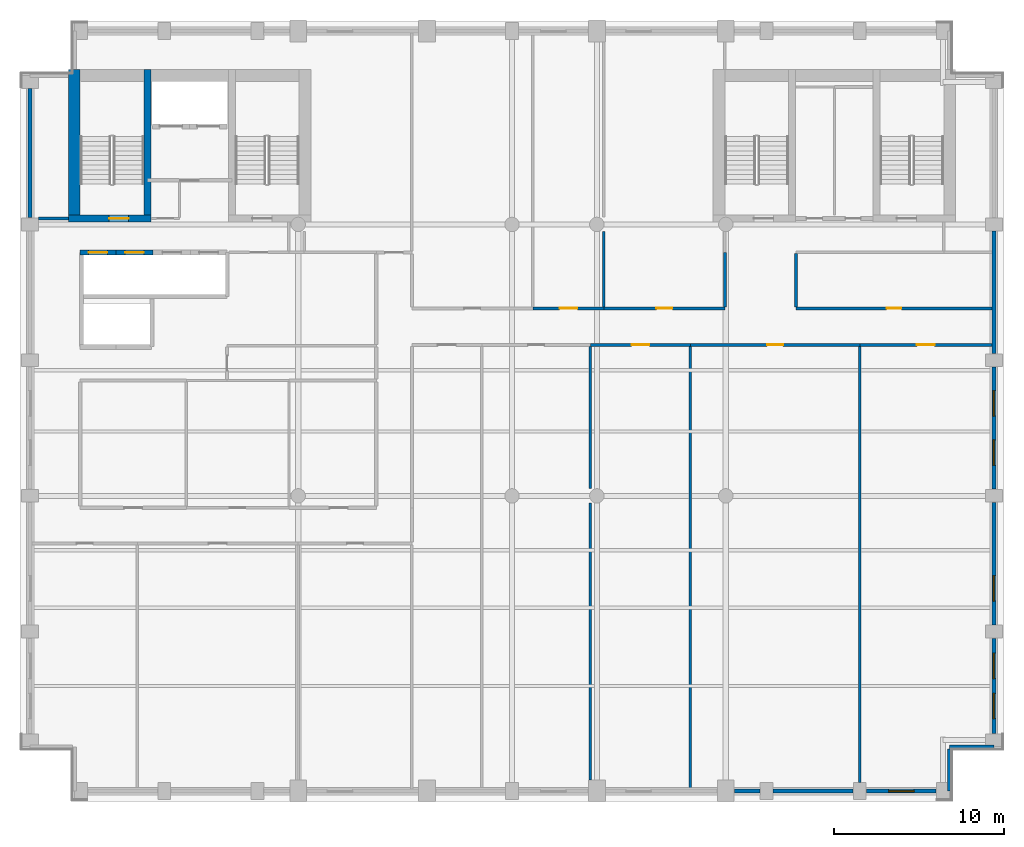
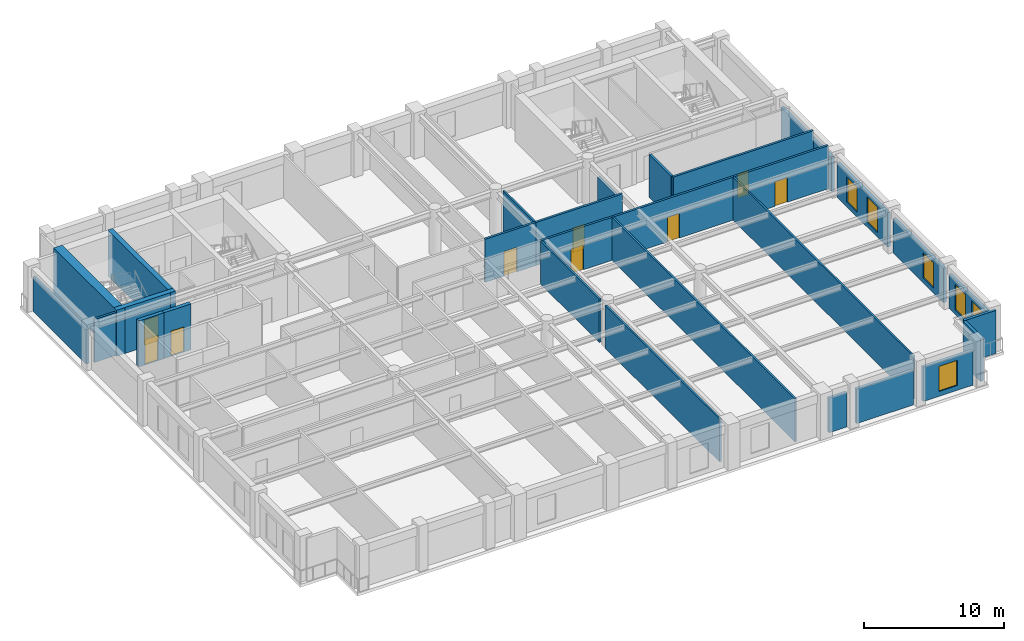
# One storey, part 4 of 9: 29 walls, 9 doors, 6 windows, 15 openings.
"""IFC4 building model written with IfcOpenShell, lengths in metres."""

from ifc_helpers import new_model, si_unit, direction, frame, frame_2d, origin, place, context, subcontext, project, spatial, rectangle, extrude, material, layer, layer_set, type_object, element, fill, save


model = new_model("IFC4")

# Units and contexts
model_context = context("Model", 3, precision=1e-05, world=origin(), true_north=direction((0.0, 1.0)))
body_context = subcontext(model_context, "Body", "Model", "MODEL_VIEW")
ifc_project = project(units=[si_unit("LENGTHUNIT", "METRE"), si_unit("AREAUNIT", "SQUARE_METRE"), si_unit("VOLUMEUNIT", "CUBIC_METRE"), si_unit("PLANEANGLEUNIT", "RADIAN"), si_unit("MASSUNIT", "GRAM", prefix="KILO")], contexts=[model_context])

# Site, building, storey
site_placement = place(None, origin())
site = spatial("IfcSite", under=ifc_project, at=site_placement, CompositionType="ELEMENT")
building_placement = place(site_placement, origin())
building = spatial("IfcBuilding", under=site, at=building_placement, Name="Sulina Concourse Tower", CompositionType="ELEMENT")
storey_placement = place(building_placement, frame((0.0, 0.0, 268.60009765625)))
storey = spatial("IfcBuildingStorey", under=building, at=storey_placement, Name="L65", CompositionType="ELEMENT", Elevation=268.60009765625)

# Wall, opening, door
ifc_material_1 = material(Name="Concrete C50/60", Category="concrete")
ifc_layer_1 = layer(ifc_material_1, 0.300048828125)
ifc_layer_set_1 = layer_set([ifc_layer_1], Name="Concrete C50/60")
wall_type_1 = type_object("IfcWallType", Name="Core Lift Hoistway Wall 300mm", PredefinedType="SOLIDWALL", material=ifc_layer_set_1)
wall_1_placement = place(storey_placement, frame((3.550048828125, 32.35009765625, 0.0), z_axis=(0.0, 0.0, 1.0), x_axis=(1.0, 0.0, 0.0)))
wall_1 = element("IfcWall", 1, at=wall_1_placement, inside=storey, type_object=wall_type_1, Name="L65 hoistway enclosure wall LP-09", PredefinedType="SOLIDWALL", context=body_context, shape_type="SweptSolid", body=[
    extrude(rectangle(XDim=2.099853515625, YDim=0.300048828125, at=frame_2d((1.0498046875, 0.0))), origin(), (0.0, 0.0, 1.0), 4.0),
])
opening_1_placement = place(wall_1_placement, frame((0.5, 0.0, 0.0)))
opening_1 = element("IfcOpeningElement", 2, at=opening_1_placement, cuts=wall_1, Name="Opening LD-01", PredefinedType="OPENING", context=body_context, shape_type="SweptSolid", body=[
    extrude(rectangle(XDim=1.10009765625, YDim=2.199951171875, at=frame_2d((0.550048828125, 1.10009765625))), frame((0.0, 0.159912109375, 0.0), z_axis=(0.0, -1.0, 0.0), x_axis=(1.0, 0.0, 0.0)), (0.0, 0.0, 1.0), 0.320068359375),
])
ifc_material_2 = material(Name="Stainless steel lift landing door", Category="steel")
ifc_layer_2 = layer(ifc_material_2, 0.050048828125)
ifc_layer_set_2 = layer_set([ifc_layer_2], Name="Stainless steel lift landing door")
door_type_1 = type_object("IfcDoorType", Name="Passenger Lift Sliding Landing Door 1100x2200", OperationType="SLIDING_TO_LEFT", PredefinedType="DOOR", material=ifc_layer_set_2)
door_1_placement = place(opening_1_placement, origin())
door_1 = element("IfcDoor", 3, at=door_1_placement, inside=storey, type_object=door_type_1, Name="L65 lift landing sliding door LP-09", OperationType="SLIDING_TO_LEFT", OverallHeight=2.199951171875, OverallWidth=1.10009765625, PredefinedType="DOOR", context=body_context, shape_type="SweptSolid", body=[
    extrude(rectangle(XDim=1.10009765625, YDim=2.199951171875, at=frame_2d((0.550048828125, 1.10009765625))), frame((0.0, 0.02490234375, 0.0), z_axis=(0.0, -1.0, 0.0), x_axis=(1.0, 0.0, 0.0)), (0.0, 0.0, 1.0), 0.050048828125),
])
fill(opening_1, door_1)

wall_2_placement = place(storey_placement, frame((5.64990234375, 32.35009765625, 0.0), z_axis=(0.0, 0.0, 1.0), x_axis=(1.0, 0.0, 0.0)))
wall_2 = element("IfcWall", 4, at=wall_2_placement, inside=storey, type_object=wall_type_1, Name="L65 hoistway enclosure wall LP-10", PredefinedType="SOLIDWALL", context=body_context, shape_type="SweptSolid", body=[
    extrude(rectangle(XDim=2.2001953125, YDim=0.300048828125, at=frame_2d((1.10009765625, 0.0))), origin(), (0.0, 0.0, 1.0), 4.0),
])
opening_2_placement = place(wall_2_placement, frame((0.550048828125, 0.0, 0.0)))
opening_2 = element("IfcOpeningElement", 5, at=opening_2_placement, cuts=wall_2, Name="Opening LD-01", PredefinedType="OPENING", context=body_context, shape_type="SweptSolid", body=[
    extrude(rectangle(XDim=1.10009765625, YDim=2.199951171875, at=frame_2d((0.550048828125, 1.10009765625))), frame((0.0, 0.159912109375, 0.0), z_axis=(0.0, -1.0, 0.0), x_axis=(1.0, 0.0, 0.0)), (0.0, 0.0, 1.0), 0.320068359375),
])
door_2_placement = place(opening_2_placement, origin())
door_2 = element("IfcDoor", 6, at=door_2_placement, inside=storey, type_object=door_type_1, Name="L65 lift landing sliding door LP-10", OperationType="SLIDING_TO_RIGHT", OverallHeight=2.199951171875, OverallWidth=1.10009765625, PredefinedType="DOOR", context=body_context, shape_type="SweptSolid", body=[
    extrude(rectangle(XDim=1.10009765625, YDim=2.199951171875, at=frame_2d((0.550048828125, 1.10009765625))), frame((0.0, 0.02490234375, 0.0), z_axis=(0.0, -1.0, 0.0), x_axis=(1.0, 0.0, 0.0)), (0.0, 0.0, 1.0), 0.050048828125),
])
fill(opening_2, door_2)

# Walls
ifc_material_3 = material(Name="Precast concrete C50/60", Category="concrete")
ifc_layer_3 = layer(ifc_material_3, 0.239990234375)
ifc_layer_set_3 = layer_set([ifc_layer_3], Name="Precast concrete C50/60")
wall_type_2 = type_object("IfcWallType", Name="Crown Precast Masonry-Frame Facade Wall 240mm", PredefinedType="SOLIDWALL", material=ifc_layer_set_3)
wall_3_placement = place(storey_placement, frame((43.60498046875, 0.60009765625, 0.0), z_axis=(0.0, 0.0, 1.0), x_axis=(-1.0, 0.0, 0.0)))
element("IfcWall", 7, at=wall_3_placement, inside=storey, type_object=wall_type_2, Name="L65 exterior precast wall S8", PredefinedType="SOLIDWALL", context=body_context, shape_type="SweptSolid", body=[
    extrude(rectangle(XDim=1.48486328125, YDim=0.239990234375, at=frame_2d((0.742431640625, 0.0))), origin(), (0.0, 0.0, 1.0), 3.0),
])
wall_4_placement = place(storey_placement, frame((49.10498046875, 0.60009765625, 0.0), z_axis=(0.0, 0.0, 1.0), x_axis=(-1.0, 0.0, 0.0)))
element("IfcWall", 8, at=wall_4_placement, inside=storey, type_object=wall_type_2, Name="L65 exterior precast wall S9", PredefinedType="SOLIDWALL", context=body_context, shape_type="SweptSolid", body=[
    extrude(rectangle(XDim=4.7099609375, YDim=0.239990234375, at=frame_2d((2.35498046875, 0.0))), origin(), (0.0, 0.0, 1.0), 3.0),
])

# Wall, opening, window
wall_5_placement = place(storey_placement, frame((54.0048828125, 0.60009765625, 0.0), z_axis=(0.0, 0.0, 1.0), x_axis=(-1.0, 0.0, 0.0)))
wall_5 = element("IfcWall", 9, at=wall_5_placement, inside=storey, type_object=wall_type_2, Name="L65 exterior precast wall S10", PredefinedType="SOLIDWALL", context=body_context, shape_type="SweptSolid", body=[
    extrude(rectangle(XDim=4.10986328125, YDim=0.239990234375, at=frame_2d((2.054931640625, 0.0))), origin(), (0.0, 0.0, 1.0), 3.0),
])
opening_3_placement = place(wall_5_placement, frame((1.304931640625, 0.0, 0.419921875)))
opening_3 = element("IfcOpeningElement", 10, at=opening_3_placement, cuts=wall_5, Name="Opening WN-71", PredefinedType="OPENING", context=body_context, shape_type="SweptSolid", body=[
    extrude(rectangle(XDim=1.5, YDim=2.199951171875, at=frame_2d((0.75, 1.10009765625))), frame((0.0, 0.1298828125, 0.0), z_axis=(0.0, -1.0, 0.0), x_axis=(1.0, 0.0, 0.0)), (0.0, 0.0, 1.0), 0.260009765625),
])
ifc_material_4 = material(Name="Low-E solar double glazing in bronze aluminium", Category="aluminium")
window_type = type_object("IfcWindowType", Name="Punched Masonry-Frame Window 1500x2200", PartitioningType="SINGLE_PANEL", PredefinedType="WINDOW", material=ifc_material_4)
window_1_placement = place(opening_3_placement, origin())
window_1 = element("IfcWindow", 11, at=window_1_placement, inside=storey, type_object=window_type, Name="L65 punched window S10-1", OverallHeight=2.199951171875, OverallWidth=1.5, PartitioningType="SINGLE_PANEL", PredefinedType="WINDOW", context=body_context, shape_type="SweptSolid", body=[
    extrude(rectangle(XDim=1.5, YDim=2.199951171875, at=frame_2d((0.75, 1.10009765625))), frame((0.0, 0.030029296875, 0.0), z_axis=(0.0, -1.0, 0.0), x_axis=(1.0, 0.0, 0.0)), (0.0, 0.0, 1.0), 0.06005859375),
])
fill(opening_3, window_1)

# Wall
wall_6_placement = place(storey_placement, frame((0.60009765625, 34.39501953125, 0.0), z_axis=(0.0, 0.0, 1.0), x_axis=(0.0, 1.0, 0.0)))
element("IfcWall", 12, at=wall_6_placement, inside=storey, type_object=wall_type_2, Name="L65 exterior precast wall W5", PredefinedType="SOLIDWALL", context=body_context, shape_type="SweptSolid", body=[
    extrude(rectangle(XDim=7.60986328125, YDim=0.239990234375, at=frame_2d((3.804931640625, 0.0))), origin(), (0.0, 0.0, 1.0), 3.0),
])

# Wall, openings, windows
wall_7_placement = place(storey_placement, frame((57.39990234375, 9.60498046875, 0.0), z_axis=(0.0, 0.0, 1.0), x_axis=(0.0, -1.0, 0.0)))
wall_7 = element("IfcWall", 13, at=wall_7_placement, inside=storey, type_object=wall_type_2, Name="L65 exterior precast wall E1", PredefinedType="SOLIDWALL", context=body_context, shape_type="SweptSolid", body=[
    extrude(rectangle(XDim=5.60986328125, YDim=0.239990234375, at=frame_2d((2.804931640625, 0.0))), origin(), (0.0, 0.0, 1.0), 3.0),
])
opening_4_placement = place(wall_7_placement, frame((0.8701171875, 0.0, 0.419921875)))
opening_4 = element("IfcOpeningElement", 14, at=opening_4_placement, cuts=wall_7, Name="Opening WN-71", PredefinedType="OPENING", context=body_context, shape_type="SweptSolid", body=[
    extrude(rectangle(XDim=1.5, YDim=2.199951171875, at=frame_2d((0.75, 1.10009765625))), frame((0.0, 0.1298828125, 0.0), z_axis=(0.0, -1.0, 0.0), x_axis=(1.0, 0.0, 0.0)), (0.0, 0.0, 1.0), 0.260009765625),
])
opening_5_placement = place(wall_7_placement, frame((3.239990234375, 0.0, 0.419921875)))
opening_5 = element("IfcOpeningElement", 15, at=opening_5_placement, cuts=wall_7, Name="Opening WN-71", PredefinedType="OPENING", context=body_context, shape_type="SweptSolid", body=[
    extrude(rectangle(XDim=1.5, YDim=2.199951171875, at=frame_2d((0.75, 1.10009765625))), frame((0.0, 0.1298828125, 0.0), z_axis=(0.0, -1.0, 0.0), x_axis=(1.0, 0.0, 0.0)), (0.0, 0.0, 1.0), 0.260009765625),
])
window_2_placement = place(opening_4_placement, origin())
window_2 = element("IfcWindow", 16, at=window_2_placement, inside=storey, type_object=window_type, Name="L65 punched window E1-1", OverallHeight=2.199951171875, OverallWidth=1.5, PartitioningType="SINGLE_PANEL", PredefinedType="WINDOW", context=body_context, shape_type="SweptSolid", body=[
    extrude(rectangle(XDim=1.5, YDim=2.199951171875, at=frame_2d((0.75, 1.10009765625))), frame((0.0, 0.030029296875, 0.0), z_axis=(0.0, -1.0, 0.0), x_axis=(1.0, 0.0, 0.0)), (0.0, 0.0, 1.0), 0.06005859375),
])
fill(opening_4, window_2)
window_3_placement = place(opening_5_placement, origin())
window_3 = element("IfcWindow", 17, at=window_3_placement, inside=storey, type_object=window_type, Name="L65 punched window E1-2", OverallHeight=2.199951171875, OverallWidth=1.5, PartitioningType="SINGLE_PANEL", PredefinedType="WINDOW", context=body_context, shape_type="SweptSolid", body=[
    extrude(rectangle(XDim=1.5, YDim=2.199951171875, at=frame_2d((0.75, 1.10009765625))), frame((0.0, 0.030029296875, 0.0), z_axis=(0.0, -1.0, 0.0), x_axis=(1.0, 0.0, 0.0)), (0.0, 0.0, 1.0), 0.06005859375),
])
fill(opening_5, window_3)

# Wall, opening, window
wall_8_placement = place(storey_placement, frame((57.39990234375, 17.60498046875, 0.0), z_axis=(0.0, 0.0, 1.0), x_axis=(0.0, -1.0, 0.0)))
wall_8 = element("IfcWall", 18, at=wall_8_placement, inside=storey, type_object=wall_type_2, Name="L65 exterior precast wall E2", PredefinedType="SOLIDWALL", context=body_context, shape_type="SweptSolid", body=[
    extrude(rectangle(XDim=7.2099609375, YDim=0.239990234375, at=frame_2d((3.60498046875, 0.0))), origin(), (0.0, 0.0, 1.0), 3.0),
])
opening_6_placement = place(wall_8_placement, frame((4.306640625, 0.0, 0.419921875)))
opening_6 = element("IfcOpeningElement", 19, at=opening_6_placement, cuts=wall_8, Name="Opening WN-71", PredefinedType="OPENING", context=body_context, shape_type="SweptSolid", body=[
    extrude(rectangle(XDim=1.5, YDim=2.199951171875, at=frame_2d((0.75, 1.10009765625))), frame((0.0, 0.1298828125, 0.0), z_axis=(0.0, -1.0, 0.0), x_axis=(1.0, 0.0, 0.0)), (0.0, 0.0, 1.0), 0.260009765625),
])
window_4_placement = place(opening_6_placement, origin())
window_4 = element("IfcWindow", 20, at=window_4_placement, inside=storey, type_object=window_type, Name="L65 punched window E2-1", OverallHeight=2.199951171875, OverallWidth=1.5, PartitioningType="SINGLE_PANEL", PredefinedType="WINDOW", context=body_context, shape_type="SweptSolid", body=[
    extrude(rectangle(XDim=1.5, YDim=2.199951171875, at=frame_2d((0.75, 1.10009765625))), frame((0.0, 0.030029296875, 0.0), z_axis=(0.0, -1.0, 0.0), x_axis=(1.0, 0.0, 0.0)), (0.0, 0.0, 1.0), 0.06005859375),
])
fill(opening_6, window_4)

# Wall, openings, windows
wall_9_placement = place(storey_placement, frame((57.39990234375, 25.60498046875, 0.0), z_axis=(0.0, 0.0, 1.0), x_axis=(0.0, -1.0, 0.0)))
wall_9 = element("IfcWall", 21, at=wall_9_placement, inside=storey, type_object=wall_type_2, Name="L65 exterior precast wall E3", PredefinedType="SOLIDWALL", context=body_context, shape_type="SweptSolid", body=[
    extrude(rectangle(XDim=7.2099609375, YDim=0.239990234375, at=frame_2d((3.60498046875, 0.0))), origin(), (0.0, 0.0, 1.0), 3.0),
])
opening_7_placement = place(wall_9_placement, frame((1.4033203125, 0.0, 0.419921875)))
opening_7 = element("IfcOpeningElement", 22, at=opening_7_placement, cuts=wall_9, Name="Opening WN-71", PredefinedType="OPENING", context=body_context, shape_type="SweptSolid", body=[
    extrude(rectangle(XDim=1.5, YDim=2.199951171875, at=frame_2d((0.75, 1.10009765625))), frame((0.0, 0.1298828125, 0.0), z_axis=(0.0, -1.0, 0.0), x_axis=(1.0, 0.0, 0.0)), (0.0, 0.0, 1.0), 0.260009765625),
])
opening_8_placement = place(wall_9_placement, frame((4.306640625, 0.0, 0.419921875)))
opening_8 = element("IfcOpeningElement", 23, at=opening_8_placement, cuts=wall_9, Name="Opening WN-71", PredefinedType="OPENING", context=body_context, shape_type="SweptSolid", body=[
    extrude(rectangle(XDim=1.5, YDim=2.199951171875, at=frame_2d((0.75, 1.10009765625))), frame((0.0, 0.1298828125, 0.0), z_axis=(0.0, -1.0, 0.0), x_axis=(1.0, 0.0, 0.0)), (0.0, 0.0, 1.0), 0.260009765625),
])
window_5_placement = place(opening_7_placement, origin())
window_5 = element("IfcWindow", 24, at=window_5_placement, inside=storey, type_object=window_type, Name="L65 punched window E3-1", OverallHeight=2.199951171875, OverallWidth=1.5, PartitioningType="SINGLE_PANEL", PredefinedType="WINDOW", context=body_context, shape_type="SweptSolid", body=[
    extrude(rectangle(XDim=1.5, YDim=2.199951171875, at=frame_2d((0.75, 1.10009765625))), frame((0.0, 0.030029296875, 0.0), z_axis=(0.0, -1.0, 0.0), x_axis=(1.0, 0.0, 0.0)), (0.0, 0.0, 1.0), 0.06005859375),
])
fill(opening_7, window_5)
window_6_placement = place(opening_8_placement, origin())
window_6 = element("IfcWindow", 25, at=window_6_placement, inside=storey, type_object=window_type, Name="L65 punched window E3-2", OverallHeight=2.199951171875, OverallWidth=1.5, PartitioningType="SINGLE_PANEL", PredefinedType="WINDOW", context=body_context, shape_type="SweptSolid", body=[
    extrude(rectangle(XDim=1.5, YDim=2.199951171875, at=frame_2d((0.75, 1.10009765625))), frame((0.0, 0.030029296875, 0.0), z_axis=(0.0, -1.0, 0.0), x_axis=(1.0, 0.0, 0.0)), (0.0, 0.0, 1.0), 0.06005859375),
])
fill(opening_8, window_6)

# Walls
wall_10_placement = place(storey_placement, frame((57.39990234375, 33.60498046875, 0.0), z_axis=(0.0, 0.0, 1.0), x_axis=(0.0, -1.0, 0.0)))
element("IfcWall", 26, at=wall_10_placement, inside=storey, type_object=wall_type_2, Name="L65 exterior precast wall E4", PredefinedType="SOLIDWALL", context=body_context, shape_type="SweptSolid", body=[
    extrude(rectangle(XDim=7.2099609375, YDim=0.239990234375, at=frame_2d((3.60498046875, 0.0))), origin(), (0.0, 0.0, 1.0), 3.0),
])
wall_11_placement = place(storey_placement, frame((57.39990234375, 3.205078125, 0.0), z_axis=(0.0, 0.0, 1.0), x_axis=(-1.0, 0.0, 0.0)))
element("IfcWall", 27, at=wall_11_placement, inside=storey, type_object=wall_type_2, Name="L65 exterior precast wall CSE1", PredefinedType="SOLIDWALL", context=body_context, shape_type="SweptSolid", body=[
    extrude(rectangle(XDim=2.60498046875, YDim=0.239990234375, at=frame_2d((1.302490234375, 0.0))), origin(), (0.0, 0.0, 1.0), 3.75),
])
wall_12_placement = place(storey_placement, frame((54.794921875, 3.080078125, 0.0), z_axis=(0.0, 0.0, 1.0), x_axis=(0.0, -1.0, 0.0)))
element("IfcWall", 28, at=wall_12_placement, inside=storey, type_object=wall_type_2, Name="L65 exterior precast wall CSE2", PredefinedType="SOLIDWALL", context=body_context, shape_type="SweptSolid", body=[
    extrude(rectangle(XDim=2.47998046875, YDim=0.239990234375, at=frame_2d((1.239990234375, 0.0))), origin(), (0.0, 0.0, 1.0), 3.75),
])
ifc_material_5 = material(Name="Gypsum board on steel stud", Category="steel")
ifc_layer_4 = layer(ifc_material_5, 0.14990234375)
ifc_layer_set_4 = layer_set([ifc_layer_4], Name="Gypsum board on steel stud")
wall_type_3 = type_object("IfcWallType", Name="Inter-Tenancy Acoustic Partition 150mm", PredefinedType="PARTITIONING", material=ifc_layer_set_4)
wall_13_placement = place(storey_placement, frame((33.6201171875, 1.25, 0.0), z_axis=(0.0, 0.0, 1.0), x_axis=(0.0, 1.0, 0.0)))
element("IfcWall", 29, at=wall_13_placement, inside=storey, type_object=wall_type_3, Name="L65 interior partition 050", PredefinedType="PARTITIONING", context=body_context, shape_type="SweptSolid", body=[
    extrude(rectangle(XDim=16.324951171875, YDim=0.14990234375, at=frame_2d((8.16259765625, 0.0))), origin(), (0.0, 0.0, 1.0), 3.75),
])
wall_14_placement = place(storey_placement, frame((33.6201171875, 18.425048828125, 0.0), z_axis=(0.0, 0.0, 1.0), x_axis=(0.0, 1.0, 0.0)))
element("IfcWall", 30, at=wall_14_placement, inside=storey, type_object=wall_type_3, Name="L65 interior partition 051", PredefinedType="PARTITIONING", context=body_context, shape_type="SweptSolid", body=[
    extrude(rectangle(XDim=8.385009765625, YDim=0.14990234375, at=frame_2d((4.1923828125, 0.0))), origin(), (0.0, 0.0, 1.0), 3.75),
])
wall_15_placement = place(storey_placement, frame((34.419921875, 29.139892578125, 0.0), z_axis=(0.0, 0.0, 1.0), x_axis=(0.0, 1.0, 0.0)))
element("IfcWall", 31, at=wall_15_placement, inside=storey, type_object=wall_type_3, Name="L65 interior partition 052", PredefinedType="PARTITIONING", context=body_context, shape_type="SweptSolid", body=[
    extrude(rectangle(XDim=4.43505859375, YDim=0.14990234375, at=frame_2d((2.217529296875, 0.0))), origin(), (0.0, 0.0, 1.0), 3.75),
])
wall_16_placement = place(storey_placement, frame((39.52001953125, 0.719970703125, 0.0), z_axis=(0.0, 0.0, 1.0), x_axis=(0.0, 1.0, 0.0)))
element("IfcWall", 32, at=wall_16_placement, inside=storey, type_object=wall_type_3, Name="L65 interior partition 054", PredefinedType="PARTITIONING", context=body_context, shape_type="SweptSolid", body=[
    extrude(rectangle(XDim=26.090087890625, YDim=0.14990234375, at=frame_2d((13.044921875, 0.0))), origin(), (0.0, 0.0, 1.0), 3.75),
])
wall_17_placement = place(storey_placement, frame((49.5, 1.10009765625, 0.0), z_axis=(0.0, 0.0, 1.0), x_axis=(0.0, 1.0, 0.0)))
element("IfcWall", 33, at=wall_17_placement, inside=storey, type_object=wall_type_3, Name="L65 interior partition 060", PredefinedType="PARTITIONING", context=body_context, shape_type="SweptSolid", body=[
    extrude(rectangle(XDim=25.7099609375, YDim=0.14990234375, at=frame_2d((12.85498046875, 0.0))), origin(), (0.0, 0.0, 1.0), 3.75),
])

# Wall, opening, door
ifc_material_6 = material(Name="Gypsum board on steel stud", Category="steel")
ifc_layer_5 = layer(ifc_material_6, 0.179931640625)
ifc_layer_set_5 = layer_set([ifc_layer_5], Name="Gypsum board on steel stud")
wall_type_4 = type_object("IfcWallType", Name="Protected Corridor & Riser Partition 180mm", PredefinedType="PARTITIONING", material=ifc_layer_set_5)
wall_18_placement = place(storey_placement, frame((33.6201171875, 26.89990234375, 0.0), z_axis=(0.0, 0.0, 1.0), x_axis=(1.0, 0.0, 0.0)))
wall_18 = element("IfcWall", 34, at=wall_18_placement, inside=storey, type_object=wall_type_4, Name="L65 interior partition 014", PredefinedType="PARTITIONING", context=body_context, shape_type="SweptSolid", body=[
    extrude(rectangle(XDim=5.89990234375, YDim=0.179931640625, at=frame_2d((2.949951171875, 0.0))), origin(), (0.0, 0.0, 1.0), 3.75),
])
opening_9_placement = place(wall_18_placement, frame((2.425048828125, 0.0, 0.0)))
opening_9 = element("IfcOpeningElement", 35, at=opening_9_placement, cuts=wall_18, Name="Opening DR-37", PredefinedType="OPENING", context=body_context, shape_type="SweptSolid", body=[
    extrude(rectangle(XDim=1.050048828125, YDim=2.14990234375, at=frame_2d((0.52490234375, 1.074951171875))), frame((0.0, 0.099853515625, 0.0), z_axis=(0.0, -1.0, 0.0), x_axis=(1.0, 0.0, 0.0)), (0.0, 0.0, 1.0), 0.199951171875),
])
ifc_material_7 = material(Name="Oak-veneered fire door leaf")
ifc_layer_6 = layer(ifc_material_7, 0.050048828125)
ifc_layer_set_6 = layer_set([ifc_layer_6], Name="Oak-veneered fire door leaf")
door_type_2 = type_object("IfcDoorType", Name="Tenant Suite Entrance Fire Door 1050x2150", OperationType="NOTDEFINED", PredefinedType="DOOR", material=ifc_layer_set_6)
door_3_placement = place(opening_9_placement, origin())
door_3 = element("IfcDoor", 36, at=door_3_placement, inside=storey, type_object=door_type_2, Name="L65 interior door L65-S05B", OperationType="SINGLE_SWING_LEFT", OverallHeight=2.14990234375, OverallWidth=1.050048828125, PredefinedType="DOOR", context=body_context, shape_type="SweptSolid", body=[
    extrude(rectangle(XDim=1.050048828125, YDim=2.14990234375, at=frame_2d((0.52490234375, 1.074951171875))), frame((0.0, 0.02490234375, 0.0), z_axis=(0.0, -1.0, 0.0), x_axis=(1.0, 0.0, 0.0)), (0.0, 0.0, 1.0), 0.050048828125),
])
fill(opening_9, door_3)

wall_19_placement = place(storey_placement, frame((39.52001953125, 26.89990234375, 0.0), z_axis=(0.0, 0.0, 1.0), x_axis=(1.0, 0.0, 0.0)))
wall_19 = element("IfcWall", 37, at=wall_19_placement, inside=storey, type_object=wall_type_4, Name="L65 interior partition 015", PredefinedType="PARTITIONING", context=body_context, shape_type="SweptSolid", body=[
    extrude(rectangle(XDim=9.97998046875, YDim=0.179931640625, at=frame_2d((4.989990234375, 0.0))), origin(), (0.0, 0.0, 1.0), 3.75),
])
opening_10_placement = place(wall_19_placement, frame((4.514892578125, 0.0, 0.0)))
opening_10 = element("IfcOpeningElement", 38, at=opening_10_placement, cuts=wall_19, Name="Opening DR-19", PredefinedType="OPENING", context=body_context, shape_type="SweptSolid", body=[
    extrude(rectangle(XDim=0.949951171875, YDim=2.14990234375, at=frame_2d((0.47509765625, 1.074951171875))), frame((0.0, 0.099853515625, 0.0), z_axis=(0.0, -1.0, 0.0), x_axis=(1.0, 0.0, 0.0)), (0.0, 0.0, 1.0), 0.199951171875),
])
ifc_material_8 = material(Name="Oak-veneered acoustic timber leaf", Category="wood")
ifc_layer_7 = layer(ifc_material_8, 0.050048828125)
ifc_layer_set_7 = layer_set([ifc_layer_7], Name="Oak-veneered acoustic timber leaf")
door_type_3 = type_object("IfcDoorType", Name="Cellular Office & Meeting Door 950x2150", OperationType="NOTDEFINED", PredefinedType="DOOR", material=ifc_layer_set_7)
door_4_placement = place(opening_10_placement, origin())
door_4 = element("IfcDoor", 39, at=door_4_placement, inside=storey, type_object=door_type_3, Name="L65 interior door L65-S06", OperationType="SINGLE_SWING_RIGHT", OverallHeight=2.14990234375, OverallWidth=0.949951171875, PredefinedType="DOOR", context=body_context, shape_type="SweptSolid", body=[
    extrude(rectangle(XDim=0.949951171875, YDim=2.14990234375, at=frame_2d((0.47509765625, 1.074951171875))), frame((0.0, 0.02490234375, 0.0), z_axis=(0.0, -1.0, 0.0), x_axis=(1.0, 0.0, 0.0)), (0.0, 0.0, 1.0), 0.050048828125),
])
fill(opening_10, door_4)

wall_20_placement = place(storey_placement, frame((49.5, 26.89990234375, 0.0), z_axis=(0.0, 0.0, 1.0), x_axis=(1.0, 0.0, 0.0)))
wall_20 = element("IfcWall", 40, at=wall_20_placement, inside=storey, type_object=wall_type_4, Name="L65 interior partition 016", PredefinedType="PARTITIONING", context=body_context, shape_type="SweptSolid", body=[
    extrude(rectangle(XDim=7.780029296875, YDim=0.179931640625, at=frame_2d((3.89013671875, 0.0))), origin(), (0.0, 0.0, 1.0), 3.75),
])
opening_11_placement = place(wall_20_placement, frame((3.364990234375, 0.0, 0.0)))
opening_11 = element("IfcOpeningElement", 41, at=opening_11_placement, cuts=wall_20, Name="Opening DR-37", PredefinedType="OPENING", context=body_context, shape_type="SweptSolid", body=[
    extrude(rectangle(XDim=1.050048828125, YDim=2.14990234375, at=frame_2d((0.52490234375, 1.074951171875))), frame((0.0, 0.099853515625, 0.0), z_axis=(0.0, -1.0, 0.0), x_axis=(1.0, 0.0, 0.0)), (0.0, 0.0, 1.0), 0.199951171875),
])
door_5_placement = place(opening_11_placement, origin())
door_5 = element("IfcDoor", 42, at=door_5_placement, inside=storey, type_object=door_type_2, Name="L65 interior door L65-S07", OperationType="SINGLE_SWING_LEFT", OverallHeight=2.14990234375, OverallWidth=1.050048828125, PredefinedType="DOOR", context=body_context, shape_type="SweptSolid", body=[
    extrude(rectangle(XDim=1.050048828125, YDim=2.14990234375, at=frame_2d((0.52490234375, 1.074951171875))), frame((0.0, 0.02490234375, 0.0), z_axis=(0.0, -1.0, 0.0), x_axis=(1.0, 0.0, 0.0)), (0.0, 0.0, 1.0), 0.050048828125),
])
fill(opening_11, door_5)

wall_21_placement = place(storey_placement, frame((30.22998046875, 29.050048828125, 0.0), z_axis=(0.0, 0.0, 1.0), x_axis=(1.0, 0.0, 0.0)))
wall_21 = element("IfcWall", 43, at=wall_21_placement, inside=storey, type_object=wall_type_4, Name="L65 interior partition 018", PredefinedType="PARTITIONING", context=body_context, shape_type="SweptSolid", body=[
    extrude(rectangle(XDim=4.18994140625, YDim=0.179931640625, at=frame_2d((2.094970703125, 0.0))), origin(), (0.0, 0.0, 1.0), 3.75),
])
opening_12_placement = place(wall_21_placement, frame((1.570068359375, 0.0, 0.0)))
opening_12 = element("IfcOpeningElement", 44, at=opening_12_placement, cuts=wall_21, Name="Opening DR-37", PredefinedType="OPENING", context=body_context, shape_type="SweptSolid", body=[
    extrude(rectangle(XDim=1.050048828125, YDim=2.14990234375, at=frame_2d((0.52490234375, 1.074951171875))), frame((0.0, 0.099853515625, 0.0), z_axis=(0.0, -1.0, 0.0), x_axis=(1.0, 0.0, 0.0)), (0.0, 0.0, 1.0), 0.199951171875),
])
door_6_placement = place(opening_12_placement, origin())
door_6 = element("IfcDoor", 45, at=door_6_placement, inside=storey, type_object=door_type_2, Name="L65 interior door L65-NC2", OperationType="SINGLE_SWING_LEFT", OverallHeight=2.14990234375, OverallWidth=1.050048828125, PredefinedType="DOOR", context=body_context, shape_type="SweptSolid", body=[
    extrude(rectangle(XDim=1.050048828125, YDim=2.14990234375, at=frame_2d((0.52490234375, 1.074951171875))), frame((0.0, 0.02490234375, 0.0), z_axis=(0.0, -1.0, 0.0), x_axis=(1.0, 0.0, 0.0)), (0.0, 0.0, 1.0), 0.050048828125),
])
fill(opening_12, door_6)

wall_22_placement = place(storey_placement, frame((34.419921875, 29.050048828125, 0.0), z_axis=(0.0, 0.0, 1.0), x_axis=(1.0, 0.0, 0.0)))
wall_22 = element("IfcWall", 46, at=wall_22_placement, inside=storey, type_object=wall_type_4, Name="L65 interior partition 019", PredefinedType="PARTITIONING", context=body_context, shape_type="SweptSolid", body=[
    extrude(rectangle(XDim=7.130126953125, YDim=0.179931640625, at=frame_2d((3.56494140625, 0.0))), origin(), (0.0, 0.0, 1.0), 3.75),
])
opening_13_placement = place(wall_22_placement, frame((3.090087890625, 0.0, 0.0)))
opening_13 = element("IfcOpeningElement", 47, at=opening_13_placement, cuts=wall_22, Name="Opening DR-19", PredefinedType="OPENING", context=body_context, shape_type="SweptSolid", body=[
    extrude(rectangle(XDim=0.949951171875, YDim=2.14990234375, at=frame_2d((0.47509765625, 1.074951171875))), frame((0.0, 0.099853515625, 0.0), z_axis=(0.0, -1.0, 0.0), x_axis=(1.0, 0.0, 0.0)), (0.0, 0.0, 1.0), 0.199951171875),
])
door_7_placement = place(opening_13_placement, origin())
door_7 = element("IfcDoor", 48, at=door_7_placement, inside=storey, type_object=door_type_3, Name="L65 interior door L65-NC3", OperationType="SINGLE_SWING_RIGHT", OverallHeight=2.14990234375, OverallWidth=0.949951171875, PredefinedType="DOOR", context=body_context, shape_type="SweptSolid", body=[
    extrude(rectangle(XDim=0.949951171875, YDim=2.14990234375, at=frame_2d((0.47509765625, 1.074951171875))), frame((0.0, 0.02490234375, 0.0), z_axis=(0.0, -1.0, 0.0), x_axis=(1.0, 0.0, 0.0)), (0.0, 0.0, 1.0), 0.050048828125),
])
fill(opening_13, door_7)

wall_23_placement = place(storey_placement, frame((45.75, 29.050048828125, 0.0), z_axis=(0.0, 0.0, 1.0), x_axis=(1.0, 0.0, 0.0)))
wall_23 = element("IfcWall", 49, at=wall_23_placement, inside=storey, type_object=wall_type_4, Name="L65 interior partition 020", PredefinedType="PARTITIONING", context=body_context, shape_type="SweptSolid", body=[
    extrude(rectangle(XDim=11.530029296875, YDim=0.179931640625, at=frame_2d((5.76513671875, 0.0))), origin(), (0.0, 0.0, 1.0), 3.75),
])
opening_14_placement = place(wall_23_placement, frame((5.324951171875, 0.0, 0.0)))
opening_14 = element("IfcOpeningElement", 50, at=opening_14_placement, cuts=wall_23, Name="Opening DR-38", PredefinedType="OPENING", context=body_context, shape_type="SweptSolid", body=[
    extrude(rectangle(XDim=0.8798828125, YDim=2.10009765625, at=frame_2d((0.43994140625, 1.050048828125))), frame((0.0, 0.099853515625, 0.0), z_axis=(0.0, -1.0, 0.0), x_axis=(1.0, 0.0, 0.0)), (0.0, 0.0, 1.0), 0.199951171875),
])
ifc_material_9 = material(Name="Galvanised steel acoustic fire leaf", Category="steel")
ifc_layer_8 = layer(ifc_material_9, 0.050048828125)
ifc_layer_set_8 = layer_set([ifc_layer_8], Name="Galvanised steel acoustic fire leaf")
door_type_4 = type_object("IfcDoorType", Name="Service Riser Fire Door 880x2100", OperationType="NOTDEFINED", PredefinedType="DOOR", material=ifc_layer_set_8)
door_8_placement = place(opening_14_placement, origin())
door_8 = element("IfcDoor", 51, at=door_8_placement, inside=storey, type_object=door_type_4, Name="L65 interior door L65-NE1", OperationType="SINGLE_SWING_LEFT", OverallHeight=2.10009765625, OverallWidth=0.8798828125, PredefinedType="DOOR", context=body_context, shape_type="SweptSolid", body=[
    extrude(rectangle(XDim=0.8798828125, YDim=2.10009765625, at=frame_2d((0.43994140625, 1.050048828125))), frame((0.0, 0.02490234375, 0.0), z_axis=(0.0, -1.0, 0.0), x_axis=(1.0, 0.0, 0.0)), (0.0, 0.0, 1.0), 0.050048828125),
])
fill(opening_14, door_8)

# Walls
wall_24_placement = place(storey_placement, frame((1.10009765625, 34.35009765625, 0.0), z_axis=(0.0, 0.0, 1.0), x_axis=(1.0, 0.0, 0.0)))
element("IfcWall", 52, at=wall_24_placement, inside=storey, type_object=wall_type_4, Name="L65 interior partition 027", PredefinedType="PARTITIONING", context=body_context, shape_type="SweptSolid", body=[
    extrude(rectangle(XDim=1.75, YDim=0.179931640625, at=frame_2d((0.875, 0.0))), origin(), (0.0, 0.0, 1.0), 3.75),
])
wall_25_placement = place(storey_placement, frame((41.550048828125, 29.139892578125, 0.0), z_axis=(0.0, 0.0, 1.0), x_axis=(0.0, 1.0, 0.0)))
element("IfcWall", 53, at=wall_25_placement, inside=storey, type_object=wall_type_4, Name="L65 interior partition 055", PredefinedType="PARTITIONING", context=body_context, shape_type="SweptSolid", body=[
    extrude(rectangle(XDim=3.210205078125, YDim=0.179931640625, at=frame_2d((1.60498046875, 0.0))), origin(), (0.0, 0.0, 1.0), 3.19482421875),
])
wall_26_placement = place(storey_placement, frame((45.75, 29.139892578125, 0.0), z_axis=(0.0, 0.0, 1.0), x_axis=(0.0, 1.0, 0.0)))
element("IfcWall", 54, at=wall_26_placement, inside=storey, type_object=wall_type_4, Name="L65 interior partition 058", PredefinedType="PARTITIONING", context=body_context, shape_type="SweptSolid", body=[
    extrude(rectangle(XDim=3.135009765625, YDim=0.179931640625, at=frame_2d((1.5673828125, 0.0))), origin(), (0.0, 0.0, 1.0), 3.75),
])

# Wall, opening, door
ifc_material_10 = material(Name="Concrete C60/75", Category="concrete")
ifc_layer_9 = layer(ifc_material_10, 0.39990234375)
ifc_layer_set_9 = layer_set([ifc_layer_9], Name="Concrete C60/75")
wall_type_5 = type_object("IfcWallType", Name="Protected Stair Core Shear Wall 400mm", PredefinedType="SHEAR", material=ifc_layer_set_9)
wall_27_placement = place(storey_placement, frame((2.85009765625, 34.35009765625, 0.0), z_axis=(0.0, 0.0, 1.0), x_axis=(1.0, 0.0, 0.0)))
wall_27 = element("IfcWall", 55, at=wall_27_placement, inside=storey, type_object=wall_type_5, Name="L65 west core shear wall CW-WS1", PredefinedType="SHEAR", context=body_context, shape_type="SweptSolid", body=[
    extrude(rectangle(XDim=4.85986328125, YDim=0.39990234375, at=frame_2d((2.429931640625, 0.0))), origin(), (0.0, 0.0, 1.0), 4.0),
])
opening_15_placement = place(wall_27_placement, frame((2.39990234375, 0.0, 0.0)))
opening_15 = element("IfcOpeningElement", 56, at=opening_15_placement, cuts=wall_27, Name="Opening DR-60", PredefinedType="OPENING", context=body_context, shape_type="SweptSolid", body=[
    extrude(rectangle(XDim=1.14990234375, YDim=2.199951171875, at=frame_2d((0.574951171875, 1.10009765625))), frame((0.0, 0.2099609375, 0.0), z_axis=(0.0, -1.0, 0.0), x_axis=(1.0, 0.0, 0.0)), (0.0, 0.0, 1.0), 0.419921875),
])
ifc_material_11 = material(Name="Galvanised steel acoustic fire leaf", Category="steel")
ifc_layer_10 = layer(ifc_material_11, 0.054931640625)
ifc_layer_set_10 = layer_set([ifc_layer_10], Name="Galvanised steel acoustic fire leaf")
door_type_5 = type_object("IfcDoorType", Name="Protected Exit Stair Fire Door 1150x2200", OperationType="NOTDEFINED", PredefinedType="DOOR", material=ifc_layer_set_10)
door_9_placement = place(opening_15_placement, origin())
door_9 = element("IfcDoor", 57, at=door_9_placement, inside=storey, type_object=door_type_5, Name="L65 stair ST-1 lobby fire door", OperationType="SINGLE_SWING_RIGHT", OverallHeight=2.199951171875, OverallWidth=1.14990234375, PredefinedType="DOOR", context=body_context, shape_type="SweptSolid", body=[
    extrude(rectangle(XDim=1.14990234375, YDim=2.199951171875, at=frame_2d((0.574951171875, 1.10009765625))), frame((0.0, 0.02490234375, 0.0), z_axis=(0.0, -1.0, 0.0), x_axis=(1.0, 0.0, 0.0)), (0.0, 0.0, 1.0), 0.050048828125),
])
fill(opening_15, door_9)

# Walls
wall_28_placement = place(storey_placement, frame((7.510009765625, 34.14990234375, 0.0), z_axis=(0.0, 0.0, 1.0), x_axis=(0.0, 1.0, 0.0)))
element("IfcWall", 58, at=wall_28_placement, inside=storey, type_object=wall_type_5, Name="L65 west core shear wall SW-ST1", PredefinedType="SHEAR", context=body_context, shape_type="SweptSolid", body=[
    extrude(rectangle(XDim=8.97998046875, YDim=0.39990234375, at=frame_2d((4.489990234375, 0.0))), origin(), (0.0, 0.0, 1.0), 4.0),
])
ifc_material_12 = material(Name="Concrete C60/75", Category="concrete")
ifc_layer_11 = layer(ifc_material_12, 0.699951171875)
ifc_layer_set_11 = layer_set([ifc_layer_11], Name="Concrete C60/75")
wall_type_6 = type_object("IfcWallType", Name="Rear Core Shear Wall 700mm", PredefinedType="SHEAR", material=ifc_layer_set_11)
wall_29_placement = place(storey_placement, frame((3.199951171875, 34.14990234375, 0.0), z_axis=(0.0, 0.0, 1.0), x_axis=(0.0, 1.0, 0.0)))
element("IfcWall", 59, at=wall_29_placement, inside=storey, type_object=wall_type_6, Name="L65 west core shear wall CW-WW", PredefinedType="SHEAR", context=body_context, shape_type="SweptSolid", body=[
    extrude(rectangle(XDim=8.97998046875, YDim=0.699951171875, at=frame_2d((4.489990234375, 0.0))), origin(), (0.0, 0.0, 1.0), 4.0),
])

save(model, "model.ifc")
